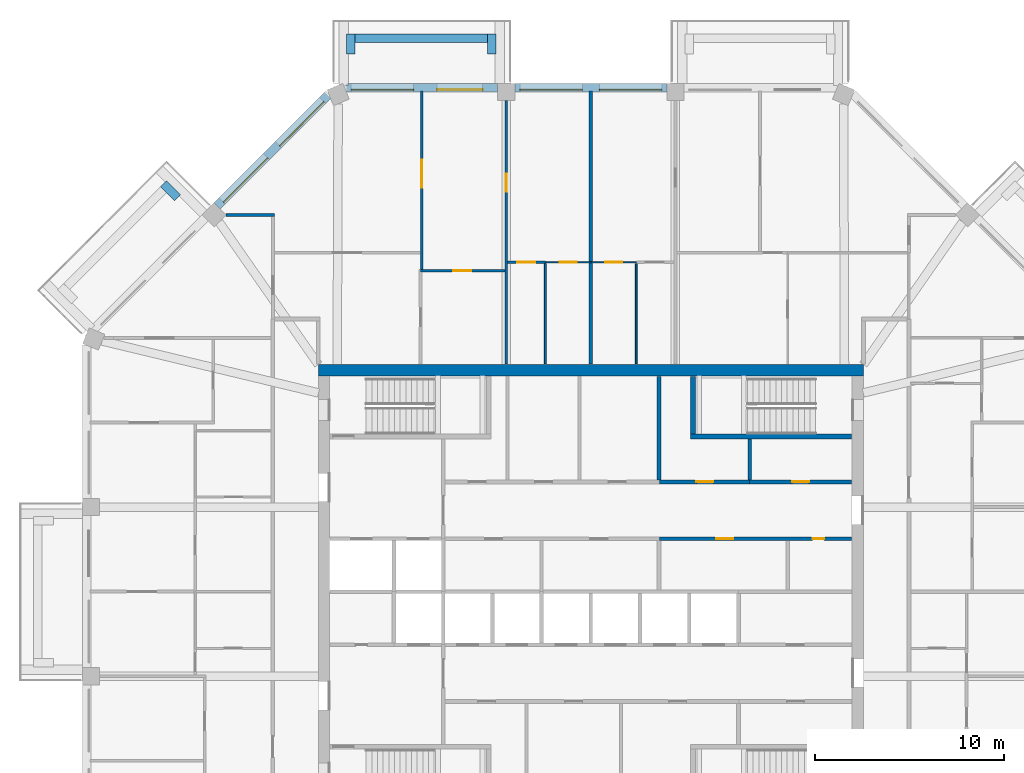
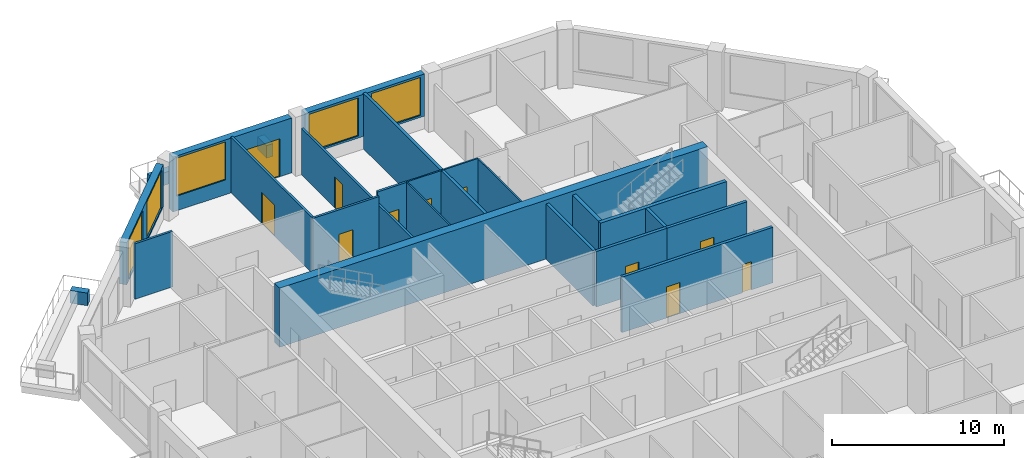
# One storey, part 8 of 12: 25 walls, 11 doors, 5 windows, 16 openings.
"""IFC4 building model written with IfcOpenShell, lengths in metres."""

from ifc_helpers import new_model, si_unit, direction, frame, frame_2d, origin, place, context, subcontext, project, spatial, rectangle, extrude, material, layer, layer_set, type_object, element, fill, save


model = new_model("IFC4")

# Units and contexts
model_context = context("Model", 3, precision=1e-05, world=origin(), true_north=direction((0.0, 1.0)))
body_context = subcontext(model_context, "Body", "Model", "MODEL_VIEW")
ifc_project = project(units=[si_unit("LENGTHUNIT", "METRE"), si_unit("AREAUNIT", "SQUARE_METRE"), si_unit("VOLUMEUNIT", "CUBIC_METRE"), si_unit("PLANEANGLEUNIT", "RADIAN"), si_unit("MASSUNIT", "GRAM", prefix="KILO")], contexts=[model_context])

# Site, building, storey
site_placement = place(None, origin())
site = spatial("IfcSite", under=ifc_project, at=site_placement, CompositionType="ELEMENT")
building_placement = place(site_placement, origin())
building = spatial("IfcBuilding", under=site, at=building_placement, Name="Msitu Wima Residences", CompositionType="ELEMENT")
storey_placement = place(building_placement, frame((0.0, 0.0, 247.5)))
storey = spatial("IfcBuildingStorey", under=building, at=storey_placement, Name="L57", CompositionType="ELEMENT", Elevation=247.5)

# Walls
ifc_material_1 = material(Name="Facing brick")
ifc_layer_1 = layer(ifc_material_1, 0.06494140625, Name="Facing brick")
ifc_material_2 = material(Name="Concrete C40/50", Category="concrete")
ifc_layer_2 = layer(ifc_material_2, 0.156005859375, Name="Concrete C40/50")
ifc_material_3 = material(Name="Waterproofing membrane")
ifc_layer_3 = layer(ifc_material_3, 0.00390625, Name="Waterproofing membrane")
ifc_material_4 = material(Name="Planting soil and planting")
ifc_layer_4 = layer(ifc_material_4, 0.22509765625, Name="Planting soil and planting")
ifc_layer_set_1 = layer_set([ifc_layer_1, ifc_layer_2, ifc_layer_3, ifc_layer_4], Name="Concrete C40/50")
wall_type_1 = type_object("IfcWallType", Name="Balcony planter PLANTER PL450", PredefinedType="USERDEFINED", material=ifc_layer_set_1)
wall_1_placement = place(storey_placement, frame((-5.468505859375, 29.22509765625, 0.0), z_axis=(0.0, 0.0, 1.0), x_axis=(-1.0, 0.0, 0.0)))
element("IfcWall", 1, at=wall_1_placement, inside=storey, type_object=wall_type_1, Name="Balcony planter N2 L57", ObjectType="PLANTER", PredefinedType="USERDEFINED", context=body_context, shape_type="SweptSolid", body=[
    extrude(rectangle(XDim=6.9873046875, YDim=0.449951171875, at=frame_2d((3.49365234375, 0.0))), origin(), (0.0, 0.0, 1.0), 0.89990234375),
])
for number, where, z_axis, x_axis, name in (
    (2, (-5.24365234375, 28.39990234375, 0.0), (0.0, 0.0, 1.0), (0.0, 1.0, 0.0), "Balcony planter N2 L57"),
    (3, (-12.680908203125, 28.39990234375, 0.0), (0.0, 0.0, 1.0), (0.0, 1.0, 0.0), "Balcony planter N2 L57"),
    (4, (-21.829833984375, 20.804443359375, 0.0), (0.0, 0.0, 1.0), (-0.707106781187, 0.707106781187, 0.0), "Balcony planter NW1 L57"),
):
    element("IfcWall", number, at=place(storey_placement, frame(where, z_axis=z_axis, x_axis=x_axis)), inside=storey, type_object=wall_type_1, Name=name, ObjectType="PLANTER", PredefinedType="USERDEFINED", context=body_context, shape_type="SweptSolid", body=[
        extrude(rectangle(XDim=1.050048828125, YDim=0.449951171875, at=frame_2d((0.52490234375, 0.0))), origin(), (0.0, 0.0, 1.0), 0.89990234375),
    ])

# Wall, openings, windows
ifc_material_5 = material(Name="Brick (red buff mix)", Category="masonry")
ifc_layer_5 = layer(ifc_material_5, 0.449951171875)
ifc_layer_set_2 = layer_set([ifc_layer_5], Name="Brick (red buff mix)")
wall_type_2 = type_object("IfcWallType", Name="Brick infill wall BW450", PredefinedType="SOLIDWALL", material=ifc_layer_set_2)
wall_2_placement = place(storey_placement, frame((4.0185546875, 26.625, 0.89990234375), z_axis=(0.0, 0.0, 1.0), x_axis=(-1.0, 0.0, 0.0)))
wall_2 = element("IfcWall", 5, at=wall_2_placement, inside=storey, type_object=wall_type_2, Name="Brick infill wall L57 N1", PredefinedType="SOLIDWALL", context=body_context, shape_type="SweptSolid", body=[
    extrude(rectangle(XDim=8.037109375, YDim=0.449951171875, at=frame_2d((4.0185546875, 0.0))), origin(), (0.0, 0.0, 1.0), 3.0),
])
opening_1_placement = place(wall_2_placement, frame((0.2685546875, 0.0, 0.14990234375)))
opening_1 = element("IfcOpeningElement", 6, at=opening_1_placement, cuts=wall_2, Name="Opening W57-59.007", PredefinedType="OPENING", context=body_context, shape_type="SweptSolid", body=[
    extrude(rectangle(XDim=3.300048828125, YDim=2.699951171875, at=frame_2d((1.64990234375, 1.35009765625))), frame((0.0, 0.23486328125, 0.0), z_axis=(0.0, -1.0, 0.0), x_axis=(1.0, 0.0, 0.0)), (0.0, 0.0, 1.0), 0.469970703125),
])
opening_2_placement = place(wall_2_placement, frame((4.46875, 0.0, 0.14990234375)))
opening_2 = element("IfcOpeningElement", 7, at=opening_2_placement, cuts=wall_2, Name="Opening W57-59.008", PredefinedType="OPENING", context=body_context, shape_type="SweptSolid", body=[
    extrude(rectangle(XDim=3.300048828125, YDim=2.699951171875, at=frame_2d((1.64990234375, 1.35009765625))), frame((0.0, 0.23486328125, 0.0), z_axis=(0.0, -1.0, 0.0), x_axis=(1.0, 0.0, 0.0)), (0.0, 0.0, 1.0), 0.469970703125),
])
ifc_material_6 = material(Name="Anodised aluminium, bronze finish, clear low-emissivity double glazing", Category="aluminium")
window_type = type_object("IfcWindowType", Name="Window W3300x2700", PartitioningType="DOUBLE_PANEL_VERTICAL", PredefinedType="WINDOW", material=ifc_material_6)
window_1_placement = place(opening_1_placement, origin())
window_1 = element("IfcWindow", 8, at=window_1_placement, inside=storey, type_object=window_type, Name="Window L57 N1.1", OverallHeight=2.699951171875, OverallWidth=3.300048828125, PartitioningType="SINGLE_PANEL", PredefinedType="WINDOW", context=body_context, shape_type="SweptSolid", body=[
    extrude(rectangle(XDim=3.300048828125, YDim=2.699951171875, at=frame_2d((1.64990234375, 1.35009765625))), frame((0.0, 0.135009765625, 0.0), z_axis=(0.0, -1.0, 0.0), x_axis=(1.0, 0.0, 0.0)), (0.0, 0.0, 1.0), 0.06005859375),
])
fill(opening_1, window_1)
window_2_placement = place(opening_2_placement, origin())
window_2 = element("IfcWindow", 9, at=window_2_placement, inside=storey, type_object=window_type, Name="Window L57 N1.2", OverallHeight=2.699951171875, OverallWidth=3.300048828125, PartitioningType="SINGLE_PANEL", PredefinedType="WINDOW", context=body_context, shape_type="SweptSolid", body=[
    extrude(rectangle(XDim=3.300048828125, YDim=2.699951171875, at=frame_2d((1.64990234375, 1.35009765625))), frame((0.0, 0.135009765625, 0.0), z_axis=(0.0, -1.0, 0.0), x_axis=(1.0, 0.0, 0.0)), (0.0, 0.0, 1.0), 0.06005859375),
])
fill(opening_2, window_2)

# Wall, openings, door, window
wall_3_placement = place(storey_placement, frame((-4.918701171875, 26.625, 0.0), z_axis=(0.0, 0.0, 1.0), x_axis=(-1.0, 0.0, 0.0)))
wall_3 = element("IfcWall", 10, at=wall_3_placement, inside=storey, type_object=wall_type_2, Name="Brick infill wall L57 N2", PredefinedType="SOLIDWALL", context=body_context, shape_type="SweptSolid", body=[
    extrude(rectangle(XDim=8.0, YDim=0.449951171875, at=frame_2d((4.0, 0.0))), origin(), (0.0, 0.0, 1.0), 3.89990234375),
])
opening_3_placement = place(wall_3_placement, frame((0.800048828125, 0.0, 0.0)))
opening_3 = element("IfcOpeningElement", 11, at=opening_3_placement, cuts=wall_3, Name="Opening D57-59.003", PredefinedType="OPENING", context=body_context, shape_type="SweptSolid", body=[
    extrude(rectangle(XDim=2.39990234375, YDim=2.699951171875, at=frame_2d((1.199951171875, 1.35009765625))), frame((0.0, 0.23486328125, 0.0), z_axis=(0.0, -1.0, 0.0), x_axis=(1.0, 0.0, 0.0)), (0.0, 0.0, 1.0), 0.469970703125),
])
opening_4_placement = place(wall_3_placement, frame((4.4501953125, 0.0, 1.050048828125)))
opening_4 = element("IfcOpeningElement", 12, at=opening_4_placement, cuts=wall_3, Name="Opening W57-59.009", PredefinedType="OPENING", context=body_context, shape_type="SweptSolid", body=[
    extrude(rectangle(XDim=3.300048828125, YDim=2.699951171875, at=frame_2d((1.64990234375, 1.35009765625))), frame((0.0, 0.23486328125, 0.0), z_axis=(0.0, -1.0, 0.0), x_axis=(1.0, 0.0, 0.0)), (0.0, 0.0, 1.0), 0.469970703125),
])
door_type_1 = type_object("IfcDoorType", Name="Balcony door D2400x2700", OperationType="SLIDING_TO_LEFT", PredefinedType="DOOR", material=ifc_material_6)
door_1_placement = place(opening_3_placement, origin())
door_1 = element("IfcDoor", 13, at=door_1_placement, inside=storey, type_object=door_type_1, Name="Balcony door L57 N2", OperationType="SINGLE_SWING_LEFT", OverallHeight=2.699951171875, OverallWidth=2.39990234375, PredefinedType="DOOR", context=body_context, shape_type="SweptSolid", body=[
    extrude(rectangle(XDim=2.39990234375, YDim=2.699951171875, at=frame_2d((1.199951171875, 1.35009765625))), frame((0.0, 0.1298828125, 0.0), z_axis=(0.0, -1.0, 0.0), x_axis=(1.0, 0.0, 0.0)), (0.0, 0.0, 1.0), 0.050048828125),
])
fill(opening_3, door_1)
window_3_placement = place(opening_4_placement, origin())
window_3 = element("IfcWindow", 14, at=window_3_placement, inside=storey, type_object=window_type, Name="Window L57 N2.2", OverallHeight=2.699951171875, OverallWidth=3.300048828125, PartitioningType="SINGLE_PANEL", PredefinedType="WINDOW", context=body_context, shape_type="SweptSolid", body=[
    extrude(rectangle(XDim=3.300048828125, YDim=2.699951171875, at=frame_2d((1.64990234375, 1.35009765625))), frame((0.0, 0.135009765625, 0.0), z_axis=(0.0, -1.0, 0.0), x_axis=(1.0, 0.0, 0.0)), (0.0, 0.0, 1.0), 0.06005859375),
])
fill(opening_4, window_3)

# Wall, openings, windows
wall_4_placement = place(storey_placement, frame((-13.909423828125, 26.214599609375, 0.89990234375), z_axis=(0.0, 0.0, 1.0), x_axis=(-0.707106781187, -0.707106781187, 0.0)))
wall_4 = element("IfcWall", 15, at=wall_4_placement, inside=storey, type_object=wall_type_2, Name="Brick infill wall L57 NW0", PredefinedType="SOLIDWALL", context=body_context, shape_type="SweptSolid", body=[
    extrude(rectangle(XDim=8.251220703125, YDim=0.449951171875, at=frame_2d((4.12548828125, 0.0))), origin(), (0.0, 0.0, 1.0), 3.0),
])
opening_5_placement = place(wall_4_placement, frame((0.37548828125, 0.0, 0.14990234375)))
opening_5 = element("IfcOpeningElement", 16, at=opening_5_placement, cuts=wall_4, Name="Opening W57-59.013", PredefinedType="OPENING", context=body_context, shape_type="SweptSolid", body=[
    extrude(rectangle(XDim=3.300048828125, YDim=2.699951171875, at=frame_2d((1.64990234375, 1.35009765625))), frame((0.0, 0.23486328125, 0.0), z_axis=(0.0, -1.0, 0.0), x_axis=(1.0, 0.0, 0.0)), (0.0, 0.0, 1.0), 0.469970703125),
])
opening_6_placement = place(wall_4_placement, frame((4.57568359375, 0.0, 0.14990234375)))
opening_6 = element("IfcOpeningElement", 17, at=opening_6_placement, cuts=wall_4, Name="Opening W57-59.014", PredefinedType="OPENING", context=body_context, shape_type="SweptSolid", body=[
    extrude(rectangle(XDim=3.300048828125, YDim=2.699951171875, at=frame_2d((1.64990234375, 1.35009765625))), frame((0.0, 0.23486328125, 0.0), z_axis=(0.0, -1.0, 0.0), x_axis=(1.0, 0.0, 0.0)), (0.0, 0.0, 1.0), 0.469970703125),
])
window_4_placement = place(opening_5_placement, origin())
window_4 = element("IfcWindow", 18, at=window_4_placement, inside=storey, type_object=window_type, Name="Window L57 NW0.1", OverallHeight=2.699951171875, OverallWidth=3.300048828125, PartitioningType="SINGLE_PANEL", PredefinedType="WINDOW", context=body_context, shape_type="SweptSolid", body=[
    extrude(rectangle(XDim=3.300048828125, YDim=2.699951171875, at=frame_2d((1.64990234375, 1.35009765625))), frame((0.0, 0.135009765625, 0.0), z_axis=(0.0, -1.0, 0.0), x_axis=(1.0, 0.0, 0.0)), (0.0, 0.0, 1.0), 0.06005859375),
])
fill(opening_5, window_4)
window_5_placement = place(opening_6_placement, origin())
window_5 = element("IfcWindow", 19, at=window_5_placement, inside=storey, type_object=window_type, Name="Window L57 NW0.2", OverallHeight=2.699951171875, OverallWidth=3.300048828125, PartitioningType="SINGLE_PANEL", PredefinedType="WINDOW", context=body_context, shape_type="SweptSolid", body=[
    extrude(rectangle(XDim=3.300048828125, YDim=2.699951171875, at=frame_2d((1.64990234375, 1.35009765625))), frame((0.0, 0.135009765625, 0.0), z_axis=(0.0, -1.0, 0.0), x_axis=(1.0, 0.0, 0.0)), (0.0, 0.0, 1.0), 0.06005859375),
])
fill(opening_6, window_5)

# Wall
ifc_material_7 = material(Name="Concrete C50/60", Category="concrete")
ifc_layer_6 = layer(ifc_material_7, 0.60009765625)
ifc_layer_set_3 = layer_set([ifc_layer_6], Name="Concrete C50/60")
wall_type_3 = type_object("IfcWallType", Name="Core wall CW600 C50/60", PredefinedType="SHEAR", material=ifc_layer_set_3)
wall_5_placement = place(storey_placement, frame((-14.39990234375, 11.699951171875, 0.0), z_axis=(0.0, 0.0, 1.0), x_axis=(1.0, 0.0, 0.0)))
element("IfcWall", 20, at=wall_5_placement, inside=storey, type_object=wall_type_3, Name="Core wall", PredefinedType="SHEAR", context=body_context, shape_type="SweptSolid", body=[
    extrude(rectangle(XDim=28.7998046875, YDim=0.60009765625, at=frame_2d((14.39990234375, 0.0))), origin(), (0.0, 0.0, 1.0), 4.199951171875),
])

# Wall, opening, door
ifc_material_8 = material(Name="Plaster")
ifc_layer_7 = layer(ifc_material_8, 0.011962890625, Name="Plaster")
ifc_material_9 = material(Name="Concrete blockwork", Category="masonry")
ifc_layer_8 = layer(ifc_material_9, 0.176025390625, Name="Concrete blockwork")
ifc_layer_9 = layer(ifc_material_8, 0.011962890625, Name="Plaster")
ifc_layer_set_4 = layer_set([ifc_layer_7, ifc_layer_8, ifc_layer_9], Name="Concrete blockwork")
wall_type_4 = type_object("IfcWallType", Name="Corridor wall FW200", PredefinedType="PARTITIONING", material=ifc_layer_set_4)
wall_6_placement = place(storey_placement, frame((8.3798828125, 5.800048828125, 0.0), z_axis=(0.0, 0.0, 1.0), x_axis=(1.0, 0.0, 0.0)))
wall_6 = element("IfcWall", 21, at=wall_6_placement, inside=storey, type_object=wall_type_4, Name="Corridor wall", PredefinedType="PARTITIONING", context=body_context, shape_type="SweptSolid", body=[
    extrude(rectangle(XDim=5.39013671875, YDim=0.199951171875, at=frame_2d((2.695068359375, 0.0))), origin(), (0.0, 0.0, 1.0), 3.949951171875),
])
opening_7_placement = place(wall_6_placement, frame((2.25, 0.0, 0.0)))
opening_7 = element("IfcOpeningElement", 22, at=opening_7_placement, cuts=wall_6, Name="Opening D57-59.072", PredefinedType="OPENING", context=body_context, shape_type="SweptSolid", body=[
    extrude(rectangle(XDim=0.89990234375, YDim=2.199951171875, at=frame_2d((0.449951171875, 1.10009765625))), frame((0.0, 0.10986328125, 0.0), z_axis=(0.0, -1.0, 0.0), x_axis=(1.0, 0.0, 0.0)), (0.0, 0.0, 1.0), 0.219970703125),
])
ifc_material_10 = material(Name="Timber flush door", Category="wood")
door_type_2 = type_object("IfcDoorType", Name="Service door D05 900x2200", OperationType="SINGLE_SWING_LEFT", PredefinedType="DOOR", material=ifc_material_10)
door_2_placement = place(opening_7_placement, origin())
door_2 = element("IfcDoor", 23, at=door_2_placement, inside=storey, type_object=door_type_2, Name="Service door", OperationType="SINGLE_SWING_LEFT", OverallHeight=2.199951171875, OverallWidth=0.89990234375, PredefinedType="DOOR", context=body_context, shape_type="SweptSolid", body=[
    extrude(rectangle(XDim=0.89990234375, YDim=2.199951171875, at=frame_2d((0.449951171875, 1.10009765625))), frame((0.0, 0.02490234375, 0.0), z_axis=(0.0, -1.0, 0.0), x_axis=(1.0, 0.0, 0.0)), (0.0, 0.0, 1.0), 0.050048828125),
])
fill(opening_7, door_2)

# Wall
ifc_layer_10 = layer(ifc_material_8, 0.011962890625, Name="Plaster")
ifc_layer_11 = layer(ifc_material_9, 0.1259765625, Name="Concrete blockwork")
ifc_layer_12 = layer(ifc_material_8, 0.011962890625, Name="Plaster")
ifc_layer_set_5 = layer_set([ifc_layer_10, ifc_layer_11, ifc_layer_12], Name="Concrete blockwork")
wall_type_5 = type_object("IfcWallType", Name="Partition PW150", PredefinedType="PARTITIONING", material=ifc_layer_set_5)
wall_7_placement = place(storey_placement, frame((-19.2666015625, 19.90283203125, 0.0), z_axis=(0.0, 0.0, 1.0), x_axis=(1.0, 0.0, 0.0)))
element("IfcWall", 24, at=wall_7_placement, inside=storey, type_object=wall_type_5, Name="Partition", PredefinedType="PARTITIONING", context=body_context, shape_type="SweptSolid", body=[
    extrude(rectangle(XDim=2.54150390625, YDim=0.14990234375, at=frame_2d((1.270751953125, 0.0))), origin(), (0.0, 0.0, 1.0), 3.949951171875),
])

# Wall, opening, door
wall_8_placement = place(storey_placement, frame((-8.937255859375, 17.02490234375, 0.0), z_axis=(0.0, 0.0, 1.0), x_axis=(0.0, 1.0, 0.0)))
wall_8 = element("IfcWall", 25, at=wall_8_placement, inside=storey, type_object=wall_type_5, Name="Partition", PredefinedType="PARTITIONING", context=body_context, shape_type="SweptSolid", body=[
    extrude(rectangle(XDim=9.43017578125, YDim=0.14990234375, at=frame_2d((4.715087890625, 0.0))), origin(), (0.0, 0.0, 1.0), 3.949951171875),
])
opening_8_placement = place(wall_8_placement, frame((4.300048828125, 0.0, 0.0)))
opening_8 = element("IfcOpeningElement", 26, at=opening_8_placement, cuts=wall_8, Name="Opening D57-59.035", PredefinedType="OPENING", context=body_context, shape_type="SweptSolid", body=[
    extrude(rectangle(XDim=1.5, YDim=2.199951171875, at=frame_2d((0.75, 1.10009765625))), frame((0.0, 0.0849609375, 0.0), z_axis=(0.0, -1.0, 0.0), x_axis=(1.0, 0.0, 0.0)), (0.0, 0.0, 1.0), 0.169921875),
])
ifc_material_11 = material(Name="Timber double door", Category="wood")
door_type_3 = type_object("IfcDoorType", Name="Double door D04 1500x2200", OperationType="DOUBLE_DOOR_SINGLE_SWING", PredefinedType="DOOR", material=ifc_material_11)
door_3_placement = place(opening_8_placement, origin())
door_3 = element("IfcDoor", 27, at=door_3_placement, inside=storey, type_object=door_type_3, Name="Double door", OperationType="DOUBLE_DOOR_SINGLE_SWING", OverallHeight=2.199951171875, OverallWidth=1.5, PredefinedType="DOOR", context=body_context, shape_type="SweptSolid", body=[
    extrude(rectangle(XDim=1.5, YDim=2.199951171875, at=frame_2d((0.75, 1.10009765625))), frame((0.0, 0.02490234375, 0.0), z_axis=(0.0, -1.0, 0.0), x_axis=(1.0, 0.0, 0.0)), (0.0, 0.0, 1.0), 0.050048828125),
])
fill(opening_8, door_3)

wall_9_placement = place(storey_placement, frame((-9.01220703125, 16.949951171875, 0.0), z_axis=(0.0, 0.0, 1.0), x_axis=(1.0, 0.0, 0.0)))
wall_9 = element("IfcWall", 28, at=wall_9_placement, inside=storey, type_object=wall_type_5, Name="Partition", PredefinedType="PARTITIONING", context=body_context, shape_type="SweptSolid", body=[
    extrude(rectangle(XDim=4.468505859375, YDim=0.14990234375, at=frame_2d((2.234375, 0.0))), origin(), (0.0, 0.0, 1.0), 3.949951171875),
])
opening_9_placement = place(wall_9_placement, frame((1.75, 0.0, 0.0)))
opening_9 = element("IfcOpeningElement", 29, at=opening_9_placement, cuts=wall_9, Name="Opening D57-59.042", PredefinedType="OPENING", context=body_context, shape_type="SweptSolid", body=[
    extrude(rectangle(XDim=0.949951171875, YDim=2.199951171875, at=frame_2d((0.47509765625, 1.10009765625))), frame((0.0, 0.0849609375, 0.0), z_axis=(0.0, -1.0, 0.0), x_axis=(1.0, 0.0, 0.0)), (0.0, 0.0, 1.0), 0.169921875),
])
door_type_4 = type_object("IfcDoorType", Name="Room door D12 950x2200", OperationType="SINGLE_SWING_LEFT", PredefinedType="DOOR", material=ifc_material_10)
door_4_placement = place(opening_9_placement, origin())
door_4 = element("IfcDoor", 30, at=door_4_placement, inside=storey, type_object=door_type_4, Name="Room door", OperationType="SINGLE_SWING_LEFT", OverallHeight=2.199951171875, OverallWidth=0.949951171875, PredefinedType="DOOR", context=body_context, shape_type="SweptSolid", body=[
    extrude(rectangle(XDim=0.949951171875, YDim=2.199951171875, at=frame_2d((0.47509765625, 1.10009765625))), frame((0.0, 0.02490234375, 0.0), z_axis=(0.0, -1.0, 0.0), x_axis=(1.0, 0.0, 0.0)), (0.0, 0.0, 1.0), 0.050048828125),
])
fill(opening_9, door_4)

wall_10_placement = place(storey_placement, frame((-4.46875, 12.030029296875, 0.0), z_axis=(0.0, 0.0, 1.0), x_axis=(0.0, 1.0, 0.0)))
wall_10 = element("IfcWall", 31, at=wall_10_placement, inside=storey, type_object=wall_type_5, Name="Partition", PredefinedType="PARTITIONING", context=body_context, shape_type="SweptSolid", body=[
    extrude(rectangle(XDim=13.919921875, YDim=0.14990234375, at=frame_2d((6.9599609375, 0.0))), origin(), (0.0, 0.0, 1.0), 3.300048828125),
])
opening_10_placement = place(wall_10_placement, frame((9.10009765625, 0.0, 0.0)))
opening_10 = element("IfcOpeningElement", 32, at=opening_10_placement, cuts=wall_10, Name="Opening D57-59.039", PredefinedType="OPENING", context=body_context, shape_type="SweptSolid", body=[
    extrude(rectangle(XDim=0.949951171875, YDim=2.199951171875, at=frame_2d((0.47509765625, 1.10009765625))), frame((0.0, 0.0849609375, 0.0), z_axis=(0.0, -1.0, 0.0), x_axis=(1.0, 0.0, 0.0)), (0.0, 0.0, 1.0), 0.169921875),
])
door_5_placement = place(opening_10_placement, origin())
door_5 = element("IfcDoor", 33, at=door_5_placement, inside=storey, type_object=door_type_4, Name="Room door", OperationType="SINGLE_SWING_RIGHT", OverallHeight=2.199951171875, OverallWidth=0.949951171875, PredefinedType="DOOR", context=body_context, shape_type="SweptSolid", body=[
    extrude(rectangle(XDim=0.949951171875, YDim=2.199951171875, at=frame_2d((0.47509765625, 1.10009765625))), frame((0.0, 0.02490234375, 0.0), z_axis=(0.0, -1.0, 0.0), x_axis=(1.0, 0.0, 0.0)), (0.0, 0.0, 1.0), 0.050048828125),
])
fill(opening_10, door_5)

wall_11_placement = place(storey_placement, frame((-4.3935546875, 17.39990234375, 0.0), z_axis=(0.0, 0.0, 1.0), x_axis=(1.0, 0.0, 0.0)))
wall_11 = element("IfcWall", 34, at=wall_11_placement, inside=storey, type_object=wall_type_5, Name="Partition", PredefinedType="PARTITIONING", context=body_context, shape_type="SweptSolid", body=[
    extrude(rectangle(XDim=1.99365234375, YDim=0.14990234375, at=frame_2d((0.996826171875, 0.0))), origin(), (0.0, 0.0, 1.0), 3.949951171875),
])
opening_11_placement = place(wall_11_placement, frame((0.5, 0.0, 0.0)))
opening_11 = element("IfcOpeningElement", 35, at=opening_11_placement, cuts=wall_11, Name="Opening D57-59.041", PredefinedType="OPENING", context=body_context, shape_type="SweptSolid", body=[
    extrude(rectangle(XDim=0.949951171875, YDim=2.199951171875, at=frame_2d((0.47509765625, 1.10009765625))), frame((0.0, 0.0849609375, 0.0), z_axis=(0.0, -1.0, 0.0), x_axis=(1.0, 0.0, 0.0)), (0.0, 0.0, 1.0), 0.169921875),
])
door_6_placement = place(opening_11_placement, origin())
door_6 = element("IfcDoor", 36, at=door_6_placement, inside=storey, type_object=door_type_4, Name="Room door", OperationType="SINGLE_SWING_LEFT", OverallHeight=2.199951171875, OverallWidth=0.949951171875, PredefinedType="DOOR", context=body_context, shape_type="SweptSolid", body=[
    extrude(rectangle(XDim=0.949951171875, YDim=2.199951171875, at=frame_2d((0.47509765625, 1.10009765625))), frame((0.0, 0.02490234375, 0.0), z_axis=(0.0, -1.0, 0.0), x_axis=(1.0, 0.0, 0.0)), (0.0, 0.0, 1.0), 0.050048828125),
])
fill(opening_11, door_6)

# Wall
ifc_layer_13 = layer(ifc_material_8, 0.011962890625, Name="Plaster")
ifc_material_12 = material(Name="Dense concrete blockwork", Category="masonry")
ifc_layer_14 = layer(ifc_material_12, 0.176025390625, Name="Dense concrete blockwork")
ifc_layer_15 = layer(ifc_material_8, 0.011962890625, Name="Plaster")
ifc_layer_set_6 = layer_set([ifc_layer_13, ifc_layer_14, ifc_layer_15], Name="Dense concrete blockwork")
wall_type_6 = type_object("IfcWallType", Name="Party wall PW200", PredefinedType="PARTITIONING", material=ifc_layer_set_6)
wall_12_placement = place(storey_placement, frame((0.0, 12.030029296875, 0.0), z_axis=(0.0, 0.0, 1.0), x_axis=(0.0, 1.0, 0.0)))
element("IfcWall", 37, at=wall_12_placement, inside=storey, type_object=wall_type_6, Name="Party wall", PredefinedType="PARTITIONING", context=body_context, shape_type="SweptSolid", body=[
    extrude(rectangle(XDim=14.425048828125, YDim=0.199951171875, at=frame_2d((7.21240234375, 0.0))), origin(), (0.0, 0.0, 1.0), 3.949951171875),
])

# Wall, openings, doors
ifc_layer_16 = layer(ifc_material_8, 0.011962890625, Name="Plaster")
ifc_material_13 = material(Name="Reinforced concrete blockwork", Category="masonry")
ifc_layer_17 = layer(ifc_material_13, 0.176025390625, Name="Reinforced concrete blockwork")
ifc_layer_18 = layer(ifc_material_8, 0.011962890625, Name="Plaster")
ifc_layer_set_7 = layer_set([ifc_layer_16, ifc_layer_17, ifc_layer_18], Name="Reinforced concrete blockwork")
wall_type_7 = type_object("IfcWallType", Name="Plant and riser wall PL200", PredefinedType="PARTITIONING", material=ifc_layer_set_7)
wall_13_placement = place(storey_placement, frame((3.6201171875, 2.800048828125, 0.0), z_axis=(0.0, 0.0, 1.0), x_axis=(1.0, 0.0, 0.0)))
wall_13 = element("IfcWall", 38, at=wall_13_placement, inside=storey, type_object=wall_type_7, Name="Plant and riser wall", PredefinedType="PARTITIONING", context=body_context, shape_type="SweptSolid", body=[
    extrude(rectangle(XDim=10.14990234375, YDim=0.199951171875, at=frame_2d((5.074951171875, 0.0))), origin(), (0.0, 0.0, 1.0), 3.949951171875),
])
opening_12_placement = place(wall_13_placement, frame((8.10009765625, 0.0, 0.0)))
opening_12 = element("IfcOpeningElement", 39, at=opening_12_placement, cuts=wall_13, Name="Opening D57-59.082", PredefinedType="OPENING", context=body_context, shape_type="SweptSolid", body=[
    extrude(rectangle(XDim=0.60009765625, YDim=2.0, at=frame_2d((0.300048828125, 1.0))), frame((0.0, 0.10986328125, 0.0), z_axis=(0.0, -1.0, 0.0), x_axis=(1.0, 0.0, 0.0)), (0.0, 0.0, 1.0), 0.219970703125),
])
opening_13_placement = place(wall_13_placement, frame((3.0, 0.0, 0.0)))
opening_13 = element("IfcOpeningElement", 40, at=opening_13_placement, cuts=wall_13, Name="Opening D57-59.081", PredefinedType="OPENING", context=body_context, shape_type="SweptSolid", body=[
    extrude(rectangle(XDim=0.89990234375, YDim=2.199951171875, at=frame_2d((0.449951171875, 1.10009765625))), frame((0.0, 0.10986328125, 0.0), z_axis=(0.0, -1.0, 0.0), x_axis=(1.0, 0.0, 0.0)), (0.0, 0.0, 1.0), 0.219970703125),
])
ifc_material_14 = material(Name="Steel access door, fire resisting", Category="steel")
door_type_5 = type_object("IfcDoorType", Name="Riser access door D08 600x2000", OperationType="SINGLE_SWING_LEFT", PredefinedType="DOOR", material=ifc_material_14)
door_7_placement = place(opening_12_placement, origin())
door_7 = element("IfcDoor", 41, at=door_7_placement, inside=storey, type_object=door_type_5, Name="Riser access door", OperationType="SINGLE_SWING_RIGHT", OverallHeight=2.0, OverallWidth=0.60009765625, PredefinedType="DOOR", context=body_context, shape_type="SweptSolid", body=[
    extrude(rectangle(XDim=0.60009765625, YDim=2.0, at=frame_2d((0.300048828125, 1.0))), frame((0.0, 0.02490234375, 0.0), z_axis=(0.0, -1.0, 0.0), x_axis=(1.0, 0.0, 0.0)), (0.0, 0.0, 1.0), 0.050048828125),
])
fill(opening_12, door_7)
door_8_placement = place(opening_13_placement, origin())
door_8 = element("IfcDoor", 42, at=door_8_placement, inside=storey, type_object=door_type_2, Name="Service door", OperationType="SINGLE_SWING_LEFT", OverallHeight=2.199951171875, OverallWidth=0.89990234375, PredefinedType="DOOR", context=body_context, shape_type="SweptSolid", body=[
    extrude(rectangle(XDim=0.89990234375, YDim=2.199951171875, at=frame_2d((0.449951171875, 1.10009765625))), frame((0.0, 0.02490234375, 0.0), z_axis=(0.0, -1.0, 0.0), x_axis=(1.0, 0.0, 0.0)), (0.0, 0.0, 1.0), 0.050048828125),
])
fill(opening_13, door_8)

# Wall, opening, door
wall_14_placement = place(storey_placement, frame((3.6201171875, 5.800048828125, 0.0), z_axis=(0.0, 0.0, 1.0), x_axis=(1.0, 0.0, 0.0)))
wall_14 = element("IfcWall", 43, at=wall_14_placement, inside=storey, type_object=wall_type_7, Name="Plant and riser wall", PredefinedType="PARTITIONING", context=body_context, shape_type="SweptSolid", body=[
    extrude(rectangle(XDim=4.759765625, YDim=0.199951171875, at=frame_2d((2.3798828125, 0.0))), origin(), (0.0, 0.0, 1.0), 3.949951171875),
])
opening_14_placement = place(wall_14_placement, frame((1.949951171875, 0.0, 0.0)))
opening_14 = element("IfcOpeningElement", 44, at=opening_14_placement, cuts=wall_14, Name="Opening D57-59.071", PredefinedType="OPENING", context=body_context, shape_type="SweptSolid", body=[
    extrude(rectangle(XDim=0.89990234375, YDim=2.199951171875, at=frame_2d((0.449951171875, 1.10009765625))), frame((0.0, 0.10986328125, 0.0), z_axis=(0.0, -1.0, 0.0), x_axis=(1.0, 0.0, 0.0)), (0.0, 0.0, 1.0), 0.219970703125),
])
door_9_placement = place(opening_14_placement, origin())
door_9 = element("IfcDoor", 45, at=door_9_placement, inside=storey, type_object=door_type_2, Name="Service door", OperationType="SINGLE_SWING_RIGHT", OverallHeight=2.199951171875, OverallWidth=0.89990234375, PredefinedType="DOOR", context=body_context, shape_type="SweptSolid", body=[
    extrude(rectangle(XDim=0.89990234375, YDim=2.199951171875, at=frame_2d((0.449951171875, 1.10009765625))), frame((0.0, 0.02490234375, 0.0), z_axis=(0.0, -1.0, 0.0), x_axis=(1.0, 0.0, 0.0)), (0.0, 0.0, 1.0), 0.050048828125),
])
fill(opening_14, door_9)

# Walls
wall_15_placement = place(storey_placement, frame((3.60009765625, 5.89990234375, 0.0), z_axis=(0.0, 0.0, 1.0), x_axis=(0.0, 1.0, 0.0)))
element("IfcWall", 46, at=wall_15_placement, inside=storey, type_object=wall_type_7, Name="Plant and riser wall", PredefinedType="PARTITIONING", context=body_context, shape_type="SweptSolid", body=[
    extrude(rectangle(XDim=5.47021484375, YDim=0.199951171875, at=frame_2d((2.735107421875, 0.0))), origin(), (0.0, 0.0, 1.0), 3.949951171875),
])
wall_16_placement = place(storey_placement, frame((8.39990234375, 5.89990234375, 0.0), z_axis=(0.0, 0.0, 1.0), x_axis=(0.0, 1.0, 0.0)))
element("IfcWall", 47, at=wall_16_placement, inside=storey, type_object=wall_type_7, Name="Plant and riser wall", PredefinedType="PARTITIONING", context=body_context, shape_type="SweptSolid", body=[
    extrude(rectangle(XDim=2.175048828125, YDim=0.199951171875, at=frame_2d((1.08740234375, 0.0))), origin(), (0.0, 0.0, 1.0), 3.949951171875),
])
ifc_layer_19 = layer(ifc_material_7, 0.25)
ifc_layer_set_8 = layer_set([ifc_layer_19], Name="Concrete C50/60")
wall_type_8 = type_object("IfcWallType", Name="Stair enclosure wall SW250", PredefinedType="SHEAR", material=ifc_layer_set_8)
wall_17_placement = place(storey_placement, frame((5.39990234375, 8.324951171875, 0.0), z_axis=(0.0, 0.0, 1.0), x_axis=(0.0, 1.0, 0.0)))
element("IfcWall", 48, at=wall_17_placement, inside=storey, type_object=wall_type_8, Name="Stair enclosure wall", PredefinedType="SHEAR", context=body_context, shape_type="SweptSolid", body=[
    extrude(rectangle(XDim=3.045166015625, YDim=0.25, at=frame_2d((1.5224609375, 0.0))), origin(), (0.0, 0.0, 1.0), 3.949951171875),
])
wall_18_placement = place(storey_placement, frame((5.27490234375, 8.199951171875, 0.0), z_axis=(0.0, 0.0, 1.0), x_axis=(1.0, 0.0, 0.0)))
element("IfcWall", 49, at=wall_18_placement, inside=storey, type_object=wall_type_8, Name="Stair enclosure wall", PredefinedType="SHEAR", context=body_context, shape_type="SweptSolid", body=[
    extrude(rectangle(XDim=8.4951171875, YDim=0.25, at=frame_2d((4.24755859375, 0.0))), origin(), (0.0, 0.0, 1.0), 3.949951171875),
])
ifc_material_15 = material(Name="Ceramic tiles")
ifc_layer_20 = layer(ifc_material_15, 0.008056640625, Name="Ceramic tiles")
ifc_material_16 = material(Name="Moisture-resistant board")
ifc_layer_21 = layer(ifc_material_16, 0.012451171875, Name="Moisture-resistant board")
ifc_material_17 = material(Name="Light-gauge stud framing with mineral wool")
ifc_layer_22 = layer(ifc_material_17, 0.06689453125, Name="Light-gauge stud framing with mineral wool")
ifc_layer_23 = layer(ifc_material_16, 0.012451171875, Name="Moisture-resistant board")
ifc_layer_set_9 = layer_set([ifc_layer_20, ifc_layer_21, ifc_layer_22, ifc_layer_23], Name="Light-gauge stud framing with mineral wool")
wall_type_9 = type_object("IfcWallType", Name="Wet wall PW100", PredefinedType="PARTITIONING", material=ifc_layer_set_9)
wall_19_placement = place(storey_placement, frame((-2.39990234375, 12.030029296875, 0.0), z_axis=(0.0, 0.0, 1.0), x_axis=(0.0, 1.0, 0.0)))
element("IfcWall", 50, at=wall_19_placement, inside=storey, type_object=wall_type_9, Name="Wet wall", PredefinedType="PARTITIONING", context=body_context, shape_type="SweptSolid", body=[
    extrude(rectangle(XDim=5.294921875, YDim=0.10009765625, at=frame_2d((2.6474609375, 0.0))), origin(), (0.0, 0.0, 1.0), 3.949951171875),
])

# Wall, opening, door
wall_20_placement = place(storey_placement, frame((-2.39990234375, 17.39990234375, 0.0), z_axis=(0.0, 0.0, 1.0), x_axis=(1.0, 0.0, 0.0)))
wall_20 = element("IfcWall", 51, at=wall_20_placement, inside=storey, type_object=wall_type_9, Name="Wet wall", PredefinedType="PARTITIONING", context=body_context, shape_type="SweptSolid", body=[
    extrude(rectangle(XDim=2.39990234375, YDim=0.10009765625, at=frame_2d((1.199951171875, 0.0))), origin(), (0.0, 0.0, 1.0), 3.949951171875),
])
opening_15_placement = place(wall_20_placement, frame((0.75, 0.0, 0.0)))
opening_15 = element("IfcOpeningElement", 52, at=opening_15_placement, cuts=wall_20, Name="Opening D57-59.040", PredefinedType="OPENING", context=body_context, shape_type="SweptSolid", body=[
    extrude(rectangle(XDim=0.89990234375, YDim=2.199951171875, at=frame_2d((0.449951171875, 1.10009765625))), frame((0.0, 0.06005859375, 0.0), z_axis=(0.0, -1.0, 0.0), x_axis=(1.0, 0.0, 0.0)), (0.0, 0.0, 1.0), 0.1201171875),
])
ifc_material_18 = material(Name="Timber flush door, moisture resistant", Category="wood")
door_type_6 = type_object("IfcDoorType", Name="Bathroom door D03 900x2200", OperationType="SINGLE_SWING_LEFT", PredefinedType="DOOR", material=ifc_material_18)
door_10_placement = place(opening_15_placement, origin())
door_10 = element("IfcDoor", 53, at=door_10_placement, inside=storey, type_object=door_type_6, Name="Bathroom door", OperationType="SINGLE_SWING_LEFT", OverallHeight=2.199951171875, OverallWidth=0.89990234375, PredefinedType="DOOR", context=body_context, shape_type="SweptSolid", body=[
    extrude(rectangle(XDim=0.89990234375, YDim=2.199951171875, at=frame_2d((0.449951171875, 1.10009765625))), frame((0.0, 0.02490234375, 0.0), z_axis=(0.0, -1.0, 0.0), x_axis=(1.0, 0.0, 0.0)), (0.0, 0.0, 1.0), 0.050048828125),
])
fill(opening_15, door_10)

wall_21_placement = place(storey_placement, frame((0.0, 17.39990234375, 0.0), z_axis=(0.0, 0.0, 1.0), x_axis=(1.0, 0.0, 0.0)))
wall_21 = element("IfcWall", 54, at=wall_21_placement, inside=storey, type_object=wall_type_9, Name="Wet wall", PredefinedType="PARTITIONING", context=body_context, shape_type="SweptSolid", body=[
    extrude(rectangle(XDim=2.39990234375, YDim=0.10009765625, at=frame_2d((1.199951171875, 0.0))), origin(), (0.0, 0.0, 1.0), 3.949951171875),
])
opening_16_placement = place(wall_21_placement, frame((0.75, 0.0, 0.0)))
opening_16 = element("IfcOpeningElement", 55, at=opening_16_placement, cuts=wall_21, Name="Opening D57-59.014", PredefinedType="OPENING", context=body_context, shape_type="SweptSolid", body=[
    extrude(rectangle(XDim=0.89990234375, YDim=2.199951171875, at=frame_2d((0.449951171875, 1.10009765625))), frame((0.0, 0.06005859375, 0.0), z_axis=(0.0, -1.0, 0.0), x_axis=(1.0, 0.0, 0.0)), (0.0, 0.0, 1.0), 0.1201171875),
])
door_11_placement = place(opening_16_placement, origin())
door_11 = element("IfcDoor", 56, at=door_11_placement, inside=storey, type_object=door_type_6, Name="Bathroom door", OperationType="SINGLE_SWING_RIGHT", OverallHeight=2.199951171875, OverallWidth=0.89990234375, PredefinedType="DOOR", context=body_context, shape_type="SweptSolid", body=[
    extrude(rectangle(XDim=0.89990234375, YDim=2.199951171875, at=frame_2d((0.449951171875, 1.10009765625))), frame((0.0, 0.02490234375, 0.0), z_axis=(0.0, -1.0, 0.0), x_axis=(1.0, 0.0, 0.0)), (0.0, 0.0, 1.0), 0.050048828125),
])
fill(opening_16, door_11)

# Wall
wall_22_placement = place(storey_placement, frame((2.39990234375, 12.030029296875, 0.0), z_axis=(0.0, 0.0, 1.0), x_axis=(0.0, 1.0, 0.0)))
element("IfcWall", 57, at=wall_22_placement, inside=storey, type_object=wall_type_9, Name="Wet wall", PredefinedType="PARTITIONING", context=body_context, shape_type="SweptSolid", body=[
    extrude(rectangle(XDim=5.294921875, YDim=0.10009765625, at=frame_2d((2.6474609375, 0.0))), origin(), (0.0, 0.0, 1.0), 3.949951171875),
])

save(model, "model.ifc")
